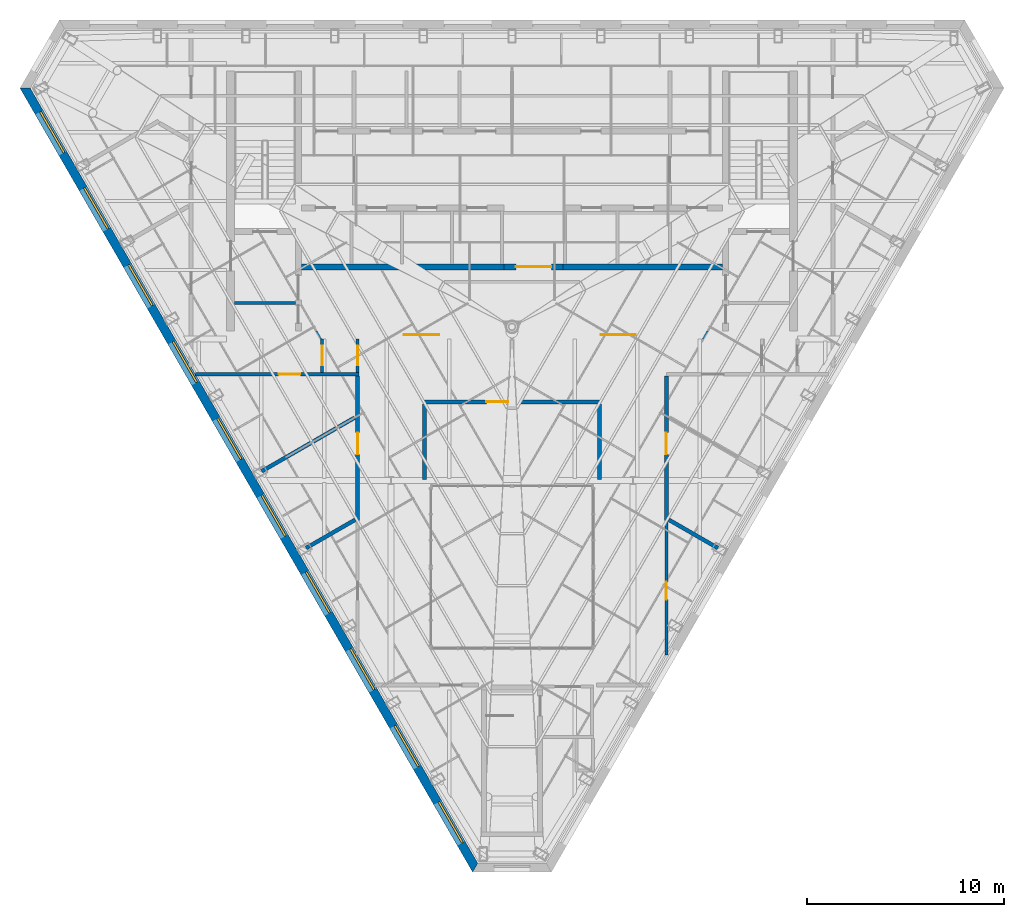
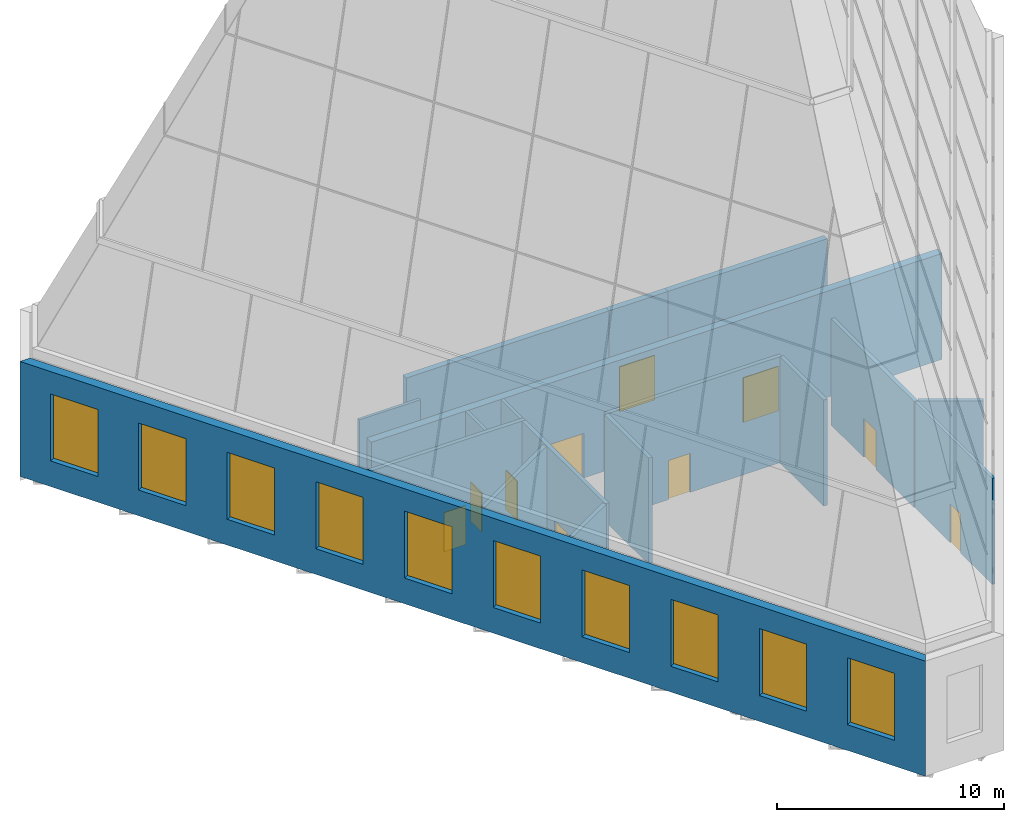
# One storey, part 30 of 36: 18 walls, 10 doors, 10 shading devices, 20 openings.
"""IFC4 building model written with IfcOpenShell, lengths in metres."""

from ifc_helpers import new_model, si_unit, direction, frame, frame_2d, origin, place, context, subcontext, project, spatial, polyline, rectangle, outline, extrude, material, layer, layer_set, type_object, element, fill, save


model = new_model("IFC4")

# Units and contexts
model_context = context("Model", 3, precision=1e-05, world=origin(), true_north=direction((0.0, 1.0)))
body_context = subcontext(model_context, "Body", "Model", "MODEL_VIEW")
ifc_project = project(units=[si_unit("LENGTHUNIT", "METRE"), si_unit("AREAUNIT", "SQUARE_METRE"), si_unit("VOLUMEUNIT", "CUBIC_METRE"), si_unit("PLANEANGLEUNIT", "RADIAN"), si_unit("MASSUNIT", "GRAM", prefix="KILO")], contexts=[model_context])

# Site, building, storey
site_placement = place(None, origin())
site = spatial("IfcSite", under=ifc_project, at=site_placement, CompositionType="ELEMENT")
building_placement = place(site_placement, origin())
building = spatial("IfcBuilding", under=site, at=building_placement, Name="Njiva Tower", CompositionType="ELEMENT")
storey_placement = place(building_placement, frame((0.0, 0.0, 337.8)))
storey = spatial("IfcBuildingStorey", under=building, at=storey_placement, Name="L77", CompositionType="ELEMENT", Elevation=337.8)

# Wall
ifc_material_1 = material(Name="Blockwork", Category="masonry")
ifc_layer_1 = layer(ifc_material_1, 0.15)
ifc_layer_set_1 = layer_set([ifc_layer_1], Name="Blockwork")
wall_type_1 = type_object("IfcWallType", Name="WT1 Compartment partition 150", PredefinedType="PARTITIONING", material=ifc_layer_set_1)
wall_1_placement = place(storey_placement, frame((-14.1, 5.825, 0.0), z_axis=(0.0, 0.0, 1.0), x_axis=(1.0, 0.0, 0.0)))
element("IfcWall", 1, at=wall_1_placement, inside=storey, type_object=wall_type_1, Name="Room wall A", PredefinedType="PARTITIONING", context=body_context, shape_type="SweptSolid", body=[
    extrude(rectangle(XDim=3.1, YDim=0.15, at=frame_2d((1.55, 0.0))), origin(), (0.0, 0.0, 1.0), 5.7),
])

# Wall, openings, doors
ifc_material_2 = material(Name="Concrete C60/75", Category="concrete")
ifc_layer_2 = layer(ifc_material_2, 0.4)
ifc_layer_set_2 = layer_set([ifc_layer_2], Name="Concrete C60/75")
wall_type_2 = type_object("IfcWallType", Name="WT11 Core wall 400", PredefinedType="SHEAR", material=ifc_layer_set_2)
wall_2_placement = place(storey_placement, frame((-14.5, 4.2, 0.0), z_axis=(0.0, 0.0, 1.0), x_axis=(1.0, 0.0, 0.0)))
wall_2 = element("IfcWall", 2, at=wall_2_placement, inside=storey, type_object=wall_type_2, Name="Core wall south", PredefinedType="SHEAR", context=body_context, shape_type="SweptSolid", body=[
    extrude(rectangle(XDim=29.0, YDim=0.4, at=frame_2d((14.5, 0.0))), origin(), (0.0, 0.0, 1.0), 5.7),
])
opening_1_placement = place(wall_2_placement, frame((9.0, 0.0, 0.0)))
opening_1 = element("IfcOpeningElement", 3, at=opening_1_placement, cuts=wall_2, Name="Opening CR-D925", PredefinedType="OPENING", context=body_context, shape_type="SweptSolid", body=[
    extrude(rectangle(XDim=1.8, YDim=2.4, at=frame_2d((0.9, 1.2))), frame((0.0, 0.21, 0.0), z_axis=(0.0, -1.0, 0.0), x_axis=(1.0, 0.0, 0.0)), (0.0, 0.0, 1.0), 0.42),
])
opening_2_placement = place(wall_2_placement, frame((19.0, 0.0, 0.0)))
opening_2 = element("IfcOpeningElement", 4, at=opening_2_placement, cuts=wall_2, Name="Opening CR-D926", PredefinedType="OPENING", context=body_context, shape_type="SweptSolid", body=[
    extrude(rectangle(XDim=1.8, YDim=2.4, at=frame_2d((0.9, 1.2))), frame((0.0, 0.21, 0.0), z_axis=(0.0, -1.0, 0.0), x_axis=(1.0, 0.0, 0.0)), (0.0, 0.0, 1.0), 0.42),
])
ifc_material_3 = material(Name="Steel and glass door", Category="steel")
door_type_1 = type_object("IfcDoorType", Name="D3 Core entrance door 1800x2400", OperationType="DOUBLE_DOOR_SINGLE_SWING", PredefinedType="DOOR", material=ifc_material_3)
door_1_placement = place(opening_1_placement, origin())
door_1 = element("IfcDoor", 5, at=door_1_placement, inside=storey, type_object=door_type_1, Name="Core entrance door", OperationType="DOUBLE_DOOR_SINGLE_SWING", OverallHeight=2.4, OverallWidth=1.8, PredefinedType="DOOR", context=body_context, shape_type="SweptSolid", body=[
    extrude(rectangle(XDim=1.8, YDim=2.4, at=frame_2d((0.9, 1.2))), frame((0.0, 0.025, 0.0), z_axis=(0.0, -1.0, 0.0), x_axis=(1.0, 0.0, 0.0)), (0.0, 0.0, 1.0), 0.05),
])
fill(opening_1, door_1)
door_2_placement = place(opening_2_placement, origin())
door_2 = element("IfcDoor", 6, at=door_2_placement, inside=storey, type_object=door_type_1, Name="Core entrance door", OperationType="DOUBLE_DOOR_SINGLE_SWING", OverallHeight=2.4, OverallWidth=1.8, PredefinedType="DOOR", context=body_context, shape_type="SweptSolid", body=[
    extrude(rectangle(XDim=1.8, YDim=2.4, at=frame_2d((0.9, 1.2))), frame((0.0, 0.025, 0.0), z_axis=(0.0, -1.0, 0.0), x_axis=(1.0, 0.0, 0.0)), (0.0, 0.0, 1.0), 0.05),
])
fill(opening_2, door_2)

# Wall, opening, door
ifc_material_4 = material(Name="Gypsum board on steel studs", Category="gypsum")
ifc_layer_3 = layer(ifc_material_4, 0.15)
ifc_layer_set_3 = layer_set([ifc_layer_3], Name="Gypsum board on steel studs")
wall_type_3 = type_object("IfcWallType", Name="WT21 Compartment wall 150", PredefinedType="PARTITIONING", material=ifc_layer_set_3)
wall_3_placement = place(storey_placement, frame((-9.65, 2.301, 0.0), z_axis=(0.0, 0.0, 1.0), x_axis=(0.0, 1.0, 0.0)))
wall_3 = element("IfcWall", 7, at=wall_3_placement, inside=storey, type_object=wall_type_3, Name="Partition CR-P008", PredefinedType="PARTITIONING", context=body_context, shape_type="SweptSolid", body=[
    extrude(rectangle(XDim=1.698, YDim=0.15, at=frame_2d((0.849, 0.0))), origin(), (0.0, 0.0, 1.0), 5.7),
])
opening_3_placement = place(wall_3_placement, frame((0.349, 0.0, 0.0)))
opening_3 = element("IfcOpeningElement", 8, at=opening_3_placement, cuts=wall_3, Name="Opening CR-D005", PredefinedType="OPENING", context=body_context, shape_type="SweptSolid", body=[
    extrude(rectangle(XDim=1.0, YDim=2.1, at=frame_2d((0.5, 1.05))), frame((0.0, 0.085, 0.0), z_axis=(0.0, -1.0, 0.0), x_axis=(1.0, 0.0, 0.0)), (0.0, 0.0, 1.0), 0.17),
])
ifc_material_5 = material(Name="Steel fire door set", Category="steel")
door_type_2 = type_object("IfcDoorType", Name="D37 Fire door 1000x2100", OperationType="SINGLE_SWING_LEFT", PredefinedType="DOOR", material=ifc_material_5)
door_3_placement = place(opening_3_placement, origin())
door_3 = element("IfcDoor", 9, at=door_3_placement, inside=storey, type_object=door_type_2, Name="Door CR-D005", OperationType="SINGLE_SWING_RIGHT", OverallHeight=2.1, OverallWidth=1.0, PredefinedType="DOOR", context=body_context, shape_type="SweptSolid", body=[
    extrude(rectangle(XDim=1.0, YDim=2.1, at=frame_2d((0.5, 1.05))), frame((0.0, 0.025, 0.0), z_axis=(0.0, -1.0, 0.0), x_axis=(1.0, 0.0, 0.0)), (0.0, 0.0, 1.0), 0.05),
])
fill(opening_3, door_3)

wall_4_placement = place(storey_placement, frame((-7.85, 2.301, 0.0), z_axis=(0.0, 0.0, 1.0), x_axis=(0.0, 1.0, 0.0)))
wall_4 = element("IfcWall", 10, at=wall_4_placement, inside=storey, type_object=wall_type_3, Name="Partition CR-P011", PredefinedType="PARTITIONING", context=body_context, shape_type="SweptSolid", body=[
    extrude(rectangle(XDim=1.698, YDim=0.15, at=frame_2d((0.849, 0.0))), origin(), (0.0, 0.0, 1.0), 5.7),
])
opening_4_placement = place(wall_4_placement, frame((0.349, 0.0, 0.0)))
opening_4 = element("IfcOpeningElement", 11, at=opening_4_placement, cuts=wall_4, Name="Opening CR-D008", PredefinedType="OPENING", context=body_context, shape_type="SweptSolid", body=[
    extrude(rectangle(XDim=1.0, YDim=2.1, at=frame_2d((0.5, 1.05))), frame((0.0, 0.085, 0.0), z_axis=(0.0, -1.0, 0.0), x_axis=(1.0, 0.0, 0.0)), (0.0, 0.0, 1.0), 0.17),
])
door_4_placement = place(opening_4_placement, origin())
door_4 = element("IfcDoor", 12, at=door_4_placement, inside=storey, type_object=door_type_2, Name="Door CR-D008", OperationType="SINGLE_SWING_RIGHT", OverallHeight=2.1, OverallWidth=1.0, PredefinedType="DOOR", context=body_context, shape_type="SweptSolid", body=[
    extrude(rectangle(XDim=1.0, YDim=2.1, at=frame_2d((0.5, 1.05))), frame((0.0, 0.025, 0.0), z_axis=(0.0, -1.0, 0.0), x_axis=(1.0, 0.0, 0.0)), (0.0, 0.0, 1.0), 0.05),
])
fill(opening_4, door_4)

ifc_layer_4 = layer(ifc_material_1, 0.2)
ifc_layer_set_4 = layer_set([ifc_layer_4], Name="Blockwork")
wall_type_4 = type_object("IfcWallType", Name="WT22 Plant room wall 200", PredefinedType="PARTITIONING", material=ifc_layer_set_4)
wall_5_placement = place(storey_placement, frame((-16.087, 2.2, 0.0), z_axis=(0.0, 0.0, 1.0), x_axis=(0.999999992763, 0.000120307988, 0.0)))
wall_5 = element("IfcWall", 13, at=wall_5_placement, inside=storey, type_object=wall_type_4, Name="Partition CR-P005", PredefinedType="PARTITIONING", context=body_context, shape_type="SweptSolid", body=[
    extrude(rectangle(XDim=8.312, YDim=0.2, at=frame_2d((4.156, 0.0))), origin(), (0.0, 0.0, 1.0), 5.7),
])
opening_5_placement = place(wall_5_placement, frame((4.231, 0.0, 0.0)))
opening_5 = element("IfcOpeningElement", 14, at=opening_5_placement, cuts=wall_5, Name="Opening CR-D004", PredefinedType="OPENING", context=body_context, shape_type="SweptSolid", body=[
    extrude(rectangle(XDim=1.1, YDim=2.1, at=frame_2d((0.55, 1.05))), frame((0.0, 0.11, 0.0), z_axis=(0.0, -1.0, 0.0), x_axis=(1.0, 0.0, 0.0)), (0.0, 0.0, 1.0), 0.22),
])
ifc_material_6 = material(Name="Steel door set", Category="steel")
door_type_3 = type_object("IfcDoorType", Name="D34 Plant door 1100x2100", OperationType="SINGLE_SWING_LEFT", PredefinedType="DOOR", material=ifc_material_6)
door_5_placement = place(opening_5_placement, origin())
door_5 = element("IfcDoor", 15, at=door_5_placement, inside=storey, type_object=door_type_3, Name="Door CR-D004", OperationType="SINGLE_SWING_RIGHT", OverallHeight=2.1, OverallWidth=1.1, PredefinedType="DOOR", context=body_context, shape_type="SweptSolid", body=[
    extrude(rectangle(XDim=1.1, YDim=2.1, at=frame_2d((0.55, 1.05))), frame((0.0, 0.025, 0.0), z_axis=(0.0, -1.0, 0.0), x_axis=(1.0, 0.0, 0.0)), (0.0, 0.0, 1.0), 0.05),
])
fill(opening_5, door_5)

# Walls
wall_6_placement = place(storey_placement, frame((-12.721, -2.733, 0.0), z_axis=(0.0, 0.0, 1.0), x_axis=(0.866078671117, 0.499907726921, 0.0)))
element("IfcWall", 16, at=wall_6_placement, inside=storey, type_object=wall_type_4, Name="Partition CR-P006", PredefinedType="PARTITIONING", context=body_context, shape_type="SweptSolid", body=[
    extrude(rectangle(XDim=5.451, YDim=0.2, at=frame_2d((2.7255, 0.0))), origin(), (0.0, 0.0, 1.0), 5.7),
])
wall_7_placement = place(storey_placement, frame((-10.467, -6.636, 0.0), z_axis=(0.0, 0.0, 1.0), x_axis=(0.866145191815, 0.499792463624, 0.0)))
element("IfcWall", 17, at=wall_7_placement, inside=storey, type_object=wall_type_4, Name="Partition CR-P007", PredefinedType="PARTITIONING", context=body_context, shape_type="SweptSolid", body=[
    extrude(rectangle(XDim=2.8852, YDim=0.2, at=frame_2d((1.4426, 0.0))), origin(), (0.0, 0.0, 1.0), 5.7),
])

# Wall, opening, door
wall_8_placement = place(storey_placement, frame((-7.85, -5.226, 0.0), z_axis=(0.0, 0.0, 1.0), x_axis=(0.0, 1.0, 0.0)))
wall_8 = element("IfcWall", 18, at=wall_8_placement, inside=storey, type_object=wall_type_4, Name="Partition CR-P010", PredefinedType="PARTITIONING", context=body_context, shape_type="SweptSolid", body=[
    extrude(rectangle(XDim=7.327, YDim=0.2, at=frame_2d((3.6635, 0.0))), origin(), (0.0, 0.0, 1.0), 5.7),
])
opening_6_placement = place(wall_8_placement, frame((3.354, 0.0, 0.0)))
opening_6 = element("IfcOpeningElement", 19, at=opening_6_placement, cuts=wall_8, Name="Opening CR-D007", PredefinedType="OPENING", context=body_context, shape_type="SweptSolid", body=[
    extrude(rectangle(XDim=1.1, YDim=2.1, at=frame_2d((0.55, 1.05))), frame((0.0, 0.11, 0.0), z_axis=(0.0, -1.0, 0.0), x_axis=(1.0, 0.0, 0.0)), (0.0, 0.0, 1.0), 0.22),
])
door_6_placement = place(opening_6_placement, origin())
door_6 = element("IfcDoor", 20, at=door_6_placement, inside=storey, type_object=door_type_3, Name="Door CR-D007", OperationType="SINGLE_SWING_LEFT", OverallHeight=2.1, OverallWidth=1.1, PredefinedType="DOOR", context=body_context, shape_type="SweptSolid", body=[
    extrude(rectangle(XDim=1.1, YDim=2.1, at=frame_2d((0.55, 1.05))), frame((0.0, 0.025, 0.0), z_axis=(0.0, -1.0, 0.0), x_axis=(1.0, 0.0, 0.0)), (0.0, 0.0, 1.0), 0.05),
])
fill(opening_6, door_6)

wall_9_placement = place(storey_placement, frame((-4.461, 0.8, 0.0), z_axis=(0.0, 0.0, 1.0), x_axis=(1.0, 0.0, 0.0)))
wall_9 = element("IfcWall", 21, at=wall_9_placement, inside=storey, type_object=wall_type_4, Name="Partition CR-P013", PredefinedType="PARTITIONING", context=body_context, shape_type="SweptSolid", body=[
    extrude(rectangle(XDim=8.923, YDim=0.2, at=frame_2d((4.4615, 0.0))), origin(), (0.0, 0.0, 1.0), 5.7),
])
opening_7_placement = place(wall_9_placement, frame((3.161, 0.0, 0.0)))
opening_7 = element("IfcOpeningElement", 22, at=opening_7_placement, cuts=wall_9, Name="Opening CR-D010", PredefinedType="OPENING", context=body_context, shape_type="SweptSolid", body=[
    extrude(rectangle(XDim=1.1, YDim=2.1, at=frame_2d((0.55, 1.05))), frame((0.0, 0.11, 0.0), z_axis=(0.0, -1.0, 0.0), x_axis=(1.0, 0.0, 0.0)), (0.0, 0.0, 1.0), 0.22),
])
door_7_placement = place(opening_7_placement, origin())
door_7 = element("IfcDoor", 23, at=door_7_placement, inside=storey, type_object=door_type_3, Name="Door CR-D010", OperationType="SINGLE_SWING_LEFT", OverallHeight=2.1, OverallWidth=1.1, PredefinedType="DOOR", context=body_context, shape_type="SweptSolid", body=[
    extrude(rectangle(XDim=1.1, YDim=2.1, at=frame_2d((0.55, 1.05))), frame((0.0, 0.025, 0.0), z_axis=(0.0, -1.0, 0.0), x_axis=(1.0, 0.0, 0.0)), (0.0, 0.0, 1.0), 0.05),
])
fill(opening_7, door_7)

# Walls
wall_10_placement = place(storey_placement, frame((-4.45, -3.149, 0.0), z_axis=(0.0, 0.0, 1.0), x_axis=(0.000259807734, 0.99999996625, 0.0)))
element("IfcWall", 24, at=wall_10_placement, inside=storey, type_object=wall_type_4, Name="Partition CR-P014", PredefinedType="PARTITIONING", context=body_context, shape_type="SweptSolid", body=[
    extrude(rectangle(XDim=3.849, YDim=0.2, at=frame_2d((1.9245, 0.0))), origin(), (0.0, 0.0, 1.0), 5.7),
])
wall_11_placement = place(storey_placement, frame((4.449, -3.15, 0.0), z_axis=(0.0, 0.0, 1.0), x_axis=(0.000259740251, 0.999999966268, 0.0)))
element("IfcWall", 25, at=wall_11_placement, inside=storey, type_object=wall_type_4, Name="Partition CR-P016", PredefinedType="PARTITIONING", context=body_context, shape_type="SweptSolid", body=[
    extrude(rectangle(XDim=3.85, YDim=0.2, at=frame_2d((1.925, 0.0))), origin(), (0.0, 0.0, 1.0), 5.7),
])

# Wall, opening, door
wall_12_placement = place(storey_placement, frame((7.85, -5.226, 0.0), z_axis=(0.0, 0.0, 1.0), x_axis=(0.0, 1.0, 0.0)))
wall_12 = element("IfcWall", 26, at=wall_12_placement, inside=storey, type_object=wall_type_4, Name="Partition CR-P018", PredefinedType="PARTITIONING", context=body_context, shape_type="SweptSolid", body=[
    extrude(rectangle(XDim=7.326, YDim=0.2, at=frame_2d((3.663, 0.0))), origin(), (0.0, 0.0, 1.0), 5.7),
])
opening_8_placement = place(wall_12_placement, frame((3.354, 0.0, 0.0)))
opening_8 = element("IfcOpeningElement", 27, at=opening_8_placement, cuts=wall_12, Name="Opening CR-D012", PredefinedType="OPENING", context=body_context, shape_type="SweptSolid", body=[
    extrude(rectangle(XDim=1.1, YDim=2.1, at=frame_2d((0.55, 1.05))), frame((0.0, 0.11, 0.0), z_axis=(0.0, -1.0, 0.0), x_axis=(1.0, 0.0, 0.0)), (0.0, 0.0, 1.0), 0.22),
])
door_8_placement = place(opening_8_placement, origin())
door_8 = element("IfcDoor", 28, at=door_8_placement, inside=storey, type_object=door_type_3, Name="Door CR-D012", OperationType="SINGLE_SWING_RIGHT", OverallHeight=2.1, OverallWidth=1.1, PredefinedType="DOOR", context=body_context, shape_type="SweptSolid", body=[
    extrude(rectangle(XDim=1.1, YDim=2.1, at=frame_2d((0.55, 1.05))), frame((0.0, 0.025, 0.0), z_axis=(0.0, -1.0, 0.0), x_axis=(1.0, 0.0, 0.0)), (0.0, 0.0, 1.0), 0.05),
])
fill(opening_8, door_8)

# Wall
wall_13_placement = place(storey_placement, frame((7.968, -5.194, 0.0), z_axis=(0.0, 0.0, 1.0), x_axis=(0.866145191815, -0.499792463624, 0.0)))
element("IfcWall", 29, at=wall_13_placement, inside=storey, type_object=wall_type_4, Name="Partition CR-P020", PredefinedType="PARTITIONING", context=body_context, shape_type="SweptSolid", body=[
    extrude(rectangle(XDim=2.8852, YDim=0.2, at=frame_2d((1.4426, 0.0))), origin(), (0.0, 0.0, 1.0), 5.7),
])

# Wall, opening, door
ifc_layer_5 = layer(ifc_material_4, 0.15)
ifc_layer_set_5 = layer_set([ifc_layer_5], Name="Gypsum board on steel studs")
wall_type_5 = type_object("IfcWallType", Name="WT24 Riser room wall 150", PredefinedType="PARTITIONING", material=ifc_layer_set_5)
wall_14_placement = place(storey_placement, frame((7.85, -12.068, 0.0), z_axis=(0.0, 0.0, 1.0), x_axis=(0.0, 1.0, 0.0)))
wall_14 = element("IfcWall", 30, at=wall_14_placement, inside=storey, type_object=wall_type_5, Name="Partition CR-P017", PredefinedType="PARTITIONING", context=body_context, shape_type="SweptSolid", body=[
    extrude(rectangle(XDim=6.783, YDim=0.15, at=frame_2d((3.3915, 0.0))), origin(), (0.0, 0.0, 1.0), 5.7),
])
opening_9_placement = place(wall_14_placement, frame((2.816, 0.0, 0.0)))
opening_9 = element("IfcOpeningElement", 31, at=opening_9_placement, cuts=wall_14, Name="Opening CR-D011", PredefinedType="OPENING", context=body_context, shape_type="SweptSolid", body=[
    extrude(rectangle(XDim=0.9, YDim=2.1, at=frame_2d((0.45, 1.05))), frame((0.0, 0.085, 0.0), z_axis=(0.0, -1.0, 0.0), x_axis=(1.0, 0.0, 0.0)), (0.0, 0.0, 1.0), 0.17),
])
door_type_4 = type_object("IfcDoorType", Name="D36 Fire door 900x2100", OperationType="SINGLE_SWING_LEFT", PredefinedType="DOOR", material=ifc_material_5)
door_9_placement = place(opening_9_placement, origin())
door_9 = element("IfcDoor", 32, at=door_9_placement, inside=storey, type_object=door_type_4, Name="Door CR-D011", OperationType="SINGLE_SWING_LEFT", OverallHeight=2.1, OverallWidth=0.9, PredefinedType="DOOR", context=body_context, shape_type="SweptSolid", body=[
    extrude(rectangle(XDim=0.9, YDim=2.1, at=frame_2d((0.45, 1.05))), frame((0.0, 0.025, 0.0), z_axis=(0.0, -1.0, 0.0), x_axis=(1.0, 0.0, 0.0)), (0.0, 0.0, 1.0), 0.05),
])
fill(opening_9, door_9)

ifc_layer_6 = layer(ifc_material_1, 0.3)
ifc_layer_set_6 = layer_set([ifc_layer_6], Name="Blockwork")
wall_type_6 = type_object("IfcWallType", Name="WT5 Lobby partition 300", PredefinedType="PARTITIONING", material=ifc_layer_set_6)
wall_15_placement = place(storey_placement, frame((-0.4, 7.65, 0.0), z_axis=(0.0, 0.0, 1.0), x_axis=(1.0, 0.0, 0.0)))
wall_15 = element("IfcWall", 33, at=wall_15_placement, inside=storey, type_object=wall_type_6, Name="Lift lobby screen wall", PredefinedType="PARTITIONING", context=body_context, shape_type="SweptSolid", body=[
    extrude(rectangle(XDim=3.0, YDim=0.3, at=frame_2d((1.5, 0.0))), origin(), (0.0, 0.0, 1.0), 5.7),
])
opening_10_placement = place(wall_15_placement, frame((0.6, 0.0, 0.0)))
opening_10 = element("IfcOpeningElement", 34, at=opening_10_placement, cuts=wall_15, Name="Opening CR-D924", PredefinedType="OPENING", context=body_context, shape_type="SweptSolid", body=[
    extrude(rectangle(XDim=1.8, YDim=2.4, at=frame_2d((0.9, 1.2))), frame((0.0, 0.16, 0.0), z_axis=(0.0, -1.0, 0.0), x_axis=(1.0, 0.0, 0.0)), (0.0, 0.0, 1.0), 0.32),
])
door_10_placement = place(opening_10_placement, origin())
door_10 = element("IfcDoor", 35, at=door_10_placement, inside=storey, type_object=door_type_1, Name="Core entrance door", OperationType="DOUBLE_DOOR_SINGLE_SWING", OverallHeight=2.4, OverallWidth=1.8, PredefinedType="DOOR", context=body_context, shape_type="SweptSolid", body=[
    extrude(rectangle(XDim=1.8, YDim=2.4, at=frame_2d((0.9, 1.2))), frame((0.0, 0.025, 0.0), z_axis=(0.0, -1.0, 0.0), x_axis=(1.0, 0.0, 0.0)), (0.0, 0.0, 1.0), 0.05),
])
fill(opening_10, door_10)

# Walls
ifc_material_7 = material(Name="Concrete C40/50", Category="concrete")
ifc_layer_7 = layer(ifc_material_7, 0.3)
ifc_layer_set_7 = layer_set([ifc_layer_7], Name="Concrete C40/50")
wall_type_7 = type_object("IfcWallType", Name="WT7 Lift shaft wall 300", PredefinedType="SHEAR", material=ifc_layer_set_7)
wall_16_placement = place(storey_placement, frame((-10.7, 7.65, 0.0), z_axis=(0.0, 0.0, 1.0), x_axis=(1.0, 0.0, 0.0)))
element("IfcWall", 36, at=wall_16_placement, inside=storey, type_object=wall_type_7, Name="Shaft wall south row back W", PredefinedType="SHEAR", context=body_context, shape_type="SweptSolid", body=[
    extrude(rectangle(XDim=10.3, YDim=0.3, at=frame_2d((5.15, 0.0))), origin(), (0.0, 0.0, 1.0), 5.7),
])
wall_17_placement = place(storey_placement, frame((2.6, 7.65, 0.0), z_axis=(0.0, 0.0, 1.0), x_axis=(1.0, 0.0, 0.0)))
element("IfcWall", 37, at=wall_17_placement, inside=storey, type_object=wall_type_7, Name="Shaft wall south row back E", PredefinedType="SHEAR", context=body_context, shape_type="SweptSolid", body=[
    extrude(rectangle(XDim=8.1, YDim=0.3, at=frame_2d((4.05, 0.0))), origin(), (0.0, 0.0, 1.0), 5.7),
])

# Wall, openings, shading devices
ifc_material_8 = material(Name="Brick masonry", Category="masonry")
ifc_layer_8 = layer(ifc_material_8, 0.45)
ifc_layer_set_8 = layer_set([ifc_layer_8], Name="Brick masonry")
wall_type_8 = type_object("IfcWallType", Name="WT90 Brick pier and spandrel wall 450", PredefinedType="SOLIDWALL", material=ifc_layer_set_8)
wall_18_placement = place(storey_placement, frame((-24.7402, 16.7359, -0.18), z_axis=(0.0, 0.0, 1.0), x_axis=(0.499999764979, -0.866025539474, 0.0)))
wall_18 = element("IfcWall", 38, at=wall_18_placement, inside=storey, type_object=wall_type_8, Name="Facade wall SW", PredefinedType="SOLIDWALL", context=body_context, shape_type="SweptSolid", body=[
    extrude(outline(polyline([(-0.1299, -0.225), (45.8701, -0.225), (45.6103, 0.225), (0.1299, 0.225), (-0.1299, -0.225)])), origin(), (0.0, 0.0, 1.0), 6.18),
])
opening_11_placement = place(wall_18_placement, frame((1.4242, 0.0, 1.38)))
opening_11 = element("IfcOpeningElement", 39, at=opening_11_placement, cuts=wall_18, Name="Opening CR-LV12", PredefinedType="OPENING", context=body_context, shape_type="SweptSolid", body=[
    extrude(rectangle(XDim=2.4, YDim=3.6, at=frame_2d((1.2, 1.8))), frame((0.0, 0.235, 0.0), z_axis=(0.0, -1.0, 0.0), x_axis=(1.0, 0.0, 0.0)), (0.0, 0.0, 1.0), 0.47),
])
opening_12_placement = place(wall_18_placement, frame((5.8934, 0.0, 1.38)))
opening_12 = element("IfcOpeningElement", 40, at=opening_12_placement, cuts=wall_18, Name="Opening CR-LV13", PredefinedType="OPENING", context=body_context, shape_type="SweptSolid", body=[
    extrude(rectangle(XDim=2.4, YDim=3.6, at=frame_2d((1.2, 1.8))), frame((0.0, 0.235, 0.0), z_axis=(0.0, -1.0, 0.0), x_axis=(1.0, 0.0, 0.0)), (0.0, 0.0, 1.0), 0.47),
])
opening_13_placement = place(wall_18_placement, frame((10.401, 0.0, 1.38)))
opening_13 = element("IfcOpeningElement", 41, at=opening_13_placement, cuts=wall_18, Name="Opening CR-LV14", PredefinedType="OPENING", context=body_context, shape_type="SweptSolid", body=[
    extrude(rectangle(XDim=2.4, YDim=3.6, at=frame_2d((1.2, 1.8))), frame((0.0, 0.235, 0.0), z_axis=(0.0, -1.0, 0.0), x_axis=(1.0, 0.0, 0.0)), (0.0, 0.0, 1.0), 0.47),
])
opening_14_placement = place(wall_18_placement, frame((14.9087, 0.0, 1.38)))
opening_14 = element("IfcOpeningElement", 42, at=opening_14_placement, cuts=wall_18, Name="Opening CR-LV15", PredefinedType="OPENING", context=body_context, shape_type="SweptSolid", body=[
    extrude(rectangle(XDim=2.4, YDim=3.6, at=frame_2d((1.2, 1.8))), frame((0.0, 0.235, 0.0), z_axis=(0.0, -1.0, 0.0), x_axis=(1.0, 0.0, 0.0)), (0.0, 0.0, 1.0), 0.47),
])
opening_15_placement = place(wall_18_placement, frame((19.4163, 0.0, 1.38)))
opening_15 = element("IfcOpeningElement", 43, at=opening_15_placement, cuts=wall_18, Name="Opening CR-LV16", PredefinedType="OPENING", context=body_context, shape_type="SweptSolid", body=[
    extrude(rectangle(XDim=2.4, YDim=3.6, at=frame_2d((1.2, 1.8))), frame((0.0, 0.235, 0.0), z_axis=(0.0, -1.0, 0.0), x_axis=(1.0, 0.0, 0.0)), (0.0, 0.0, 1.0), 0.47),
])
opening_16_placement = place(wall_18_placement, frame((23.9239, 0.0, 1.38)))
opening_16 = element("IfcOpeningElement", 44, at=opening_16_placement, cuts=wall_18, Name="Opening CR-LV17", PredefinedType="OPENING", context=body_context, shape_type="SweptSolid", body=[
    extrude(rectangle(XDim=2.4, YDim=3.6, at=frame_2d((1.2, 1.8))), frame((0.0, 0.235, 0.0), z_axis=(0.0, -1.0, 0.0), x_axis=(1.0, 0.0, 0.0)), (0.0, 0.0, 1.0), 0.47),
])
opening_17_placement = place(wall_18_placement, frame((28.4315, 0.0, 1.38)))
opening_17 = element("IfcOpeningElement", 45, at=opening_17_placement, cuts=wall_18, Name="Opening CR-LV18", PredefinedType="OPENING", context=body_context, shape_type="SweptSolid", body=[
    extrude(rectangle(XDim=2.4, YDim=3.6, at=frame_2d((1.2, 1.8))), frame((0.0, 0.235, 0.0), z_axis=(0.0, -1.0, 0.0), x_axis=(1.0, 0.0, 0.0)), (0.0, 0.0, 1.0), 0.47),
])
opening_18_placement = place(wall_18_placement, frame((32.9391, 0.0, 1.38)))
opening_18 = element("IfcOpeningElement", 46, at=opening_18_placement, cuts=wall_18, Name="Opening CR-LV19", PredefinedType="OPENING", context=body_context, shape_type="SweptSolid", body=[
    extrude(rectangle(XDim=2.4, YDim=3.6, at=frame_2d((1.2, 1.8))), frame((0.0, 0.235, 0.0), z_axis=(0.0, -1.0, 0.0), x_axis=(1.0, 0.0, 0.0)), (0.0, 0.0, 1.0), 0.47),
])
opening_19_placement = place(wall_18_placement, frame((37.4468, 0.0, 1.38)))
opening_19 = element("IfcOpeningElement", 47, at=opening_19_placement, cuts=wall_18, Name="Opening CR-LV20", PredefinedType="OPENING", context=body_context, shape_type="SweptSolid", body=[
    extrude(rectangle(XDim=2.4, YDim=3.6, at=frame_2d((1.2, 1.8))), frame((0.0, 0.235, 0.0), z_axis=(0.0, -1.0, 0.0), x_axis=(1.0, 0.0, 0.0)), (0.0, 0.0, 1.0), 0.47),
])
opening_20_placement = place(wall_18_placement, frame((41.916, 0.0, 1.38)))
opening_20 = element("IfcOpeningElement", 48, at=opening_20_placement, cuts=wall_18, Name="Opening CR-LV21", PredefinedType="OPENING", context=body_context, shape_type="SweptSolid", body=[
    extrude(rectangle(XDim=2.4, YDim=3.6, at=frame_2d((1.2, 1.8))), frame((0.0, 0.235, 0.0), z_axis=(0.0, -1.0, 0.0), x_axis=(1.0, 0.0, 0.0)), (0.0, 0.0, 1.0), 0.47),
])
ifc_material_9 = material(Name="Aluminium louvre blades", Category="aluminium")
shading_device_type = type_object("IfcShadingDeviceType", Name="LV1 Plant louvre 2400x3600", PredefinedType="JALOUSIE", material=ifc_material_9)
shading_device_1_placement = place(opening_11_placement, origin())
shading_device_1 = element("IfcShadingDevice", 49, at=shading_device_1_placement, inside=storey, type_object=shading_device_type, Name="Plant louvre", PredefinedType="JALOUSIE", context=body_context, shape_type="SweptSolid", body=[
    extrude(rectangle(XDim=2.4, YDim=3.6, at=frame_2d((1.2, 1.8))), frame((0.0, 0.125, 0.0), z_axis=(0.0, -1.0, 0.0), x_axis=(1.0, 0.0, 0.0)), (0.0, 0.0, 1.0), 0.1),
])
fill(opening_11, shading_device_1)
shading_device_2_placement = place(opening_12_placement, origin())
shading_device_2 = element("IfcShadingDevice", 50, at=shading_device_2_placement, inside=storey, type_object=shading_device_type, Name="Plant louvre", PredefinedType="JALOUSIE", context=body_context, shape_type="SweptSolid", body=[
    extrude(rectangle(XDim=2.4, YDim=3.6, at=frame_2d((1.2, 1.8))), frame((0.0, 0.125, 0.0), z_axis=(0.0, -1.0, 0.0), x_axis=(1.0, 0.0, 0.0)), (0.0, 0.0, 1.0), 0.1),
])
fill(opening_12, shading_device_2)
shading_device_3_placement = place(opening_13_placement, origin())
shading_device_3 = element("IfcShadingDevice", 51, at=shading_device_3_placement, inside=storey, type_object=shading_device_type, Name="Plant louvre", PredefinedType="JALOUSIE", context=body_context, shape_type="SweptSolid", body=[
    extrude(rectangle(XDim=2.4, YDim=3.6, at=frame_2d((1.2, 1.8))), frame((0.0, 0.125, 0.0), z_axis=(0.0, -1.0, 0.0), x_axis=(1.0, 0.0, 0.0)), (0.0, 0.0, 1.0), 0.1),
])
fill(opening_13, shading_device_3)
shading_device_4_placement = place(opening_14_placement, origin())
shading_device_4 = element("IfcShadingDevice", 52, at=shading_device_4_placement, inside=storey, type_object=shading_device_type, Name="Plant louvre", PredefinedType="JALOUSIE", context=body_context, shape_type="SweptSolid", body=[
    extrude(rectangle(XDim=2.4, YDim=3.6, at=frame_2d((1.2, 1.8))), frame((0.0, 0.125, 0.0), z_axis=(0.0, -1.0, 0.0), x_axis=(1.0, 0.0, 0.0)), (0.0, 0.0, 1.0), 0.1),
])
fill(opening_14, shading_device_4)
shading_device_5_placement = place(opening_15_placement, origin())
shading_device_5 = element("IfcShadingDevice", 53, at=shading_device_5_placement, inside=storey, type_object=shading_device_type, Name="Plant louvre", PredefinedType="JALOUSIE", context=body_context, shape_type="SweptSolid", body=[
    extrude(rectangle(XDim=2.4, YDim=3.6, at=frame_2d((1.2, 1.8))), frame((0.0, 0.125, 0.0), z_axis=(0.0, -1.0, 0.0), x_axis=(1.0, 0.0, 0.0)), (0.0, 0.0, 1.0), 0.1),
])
fill(opening_15, shading_device_5)
shading_device_6_placement = place(opening_16_placement, origin())
shading_device_6 = element("IfcShadingDevice", 54, at=shading_device_6_placement, inside=storey, type_object=shading_device_type, Name="Plant louvre", PredefinedType="JALOUSIE", context=body_context, shape_type="SweptSolid", body=[
    extrude(rectangle(XDim=2.4, YDim=3.6, at=frame_2d((1.2, 1.8))), frame((0.0, 0.125, 0.0), z_axis=(0.0, -1.0, 0.0), x_axis=(1.0, 0.0, 0.0)), (0.0, 0.0, 1.0), 0.1),
])
fill(opening_16, shading_device_6)
shading_device_7_placement = place(opening_17_placement, origin())
shading_device_7 = element("IfcShadingDevice", 55, at=shading_device_7_placement, inside=storey, type_object=shading_device_type, Name="Plant louvre", PredefinedType="JALOUSIE", context=body_context, shape_type="SweptSolid", body=[
    extrude(rectangle(XDim=2.4, YDim=3.6, at=frame_2d((1.2, 1.8))), frame((0.0, 0.125, 0.0), z_axis=(0.0, -1.0, 0.0), x_axis=(1.0, 0.0, 0.0)), (0.0, 0.0, 1.0), 0.1),
])
fill(opening_17, shading_device_7)
shading_device_8_placement = place(opening_18_placement, origin())
shading_device_8 = element("IfcShadingDevice", 56, at=shading_device_8_placement, inside=storey, type_object=shading_device_type, Name="Plant louvre", PredefinedType="JALOUSIE", context=body_context, shape_type="SweptSolid", body=[
    extrude(rectangle(XDim=2.4, YDim=3.6, at=frame_2d((1.2, 1.8))), frame((0.0, 0.125, 0.0), z_axis=(0.0, -1.0, 0.0), x_axis=(1.0, 0.0, 0.0)), (0.0, 0.0, 1.0), 0.1),
])
fill(opening_18, shading_device_8)
shading_device_9_placement = place(opening_19_placement, origin())
shading_device_9 = element("IfcShadingDevice", 57, at=shading_device_9_placement, inside=storey, type_object=shading_device_type, Name="Plant louvre", PredefinedType="JALOUSIE", context=body_context, shape_type="SweptSolid", body=[
    extrude(rectangle(XDim=2.4, YDim=3.6, at=frame_2d((1.2, 1.8))), frame((0.0, 0.125, 0.0), z_axis=(0.0, -1.0, 0.0), x_axis=(1.0, 0.0, 0.0)), (0.0, 0.0, 1.0), 0.1),
])
fill(opening_19, shading_device_9)
shading_device_10_placement = place(opening_20_placement, origin())
shading_device_10 = element("IfcShadingDevice", 58, at=shading_device_10_placement, inside=storey, type_object=shading_device_type, Name="Plant louvre", PredefinedType="JALOUSIE", context=body_context, shape_type="SweptSolid", body=[
    extrude(rectangle(XDim=2.4, YDim=3.6, at=frame_2d((1.2, 1.8))), frame((0.0, 0.125, 0.0), z_axis=(0.0, -1.0, 0.0), x_axis=(1.0, 0.0, 0.0)), (0.0, 0.0, 1.0), 0.1),
])
fill(opening_20, shading_device_10)

save(model, "model.ifc")
